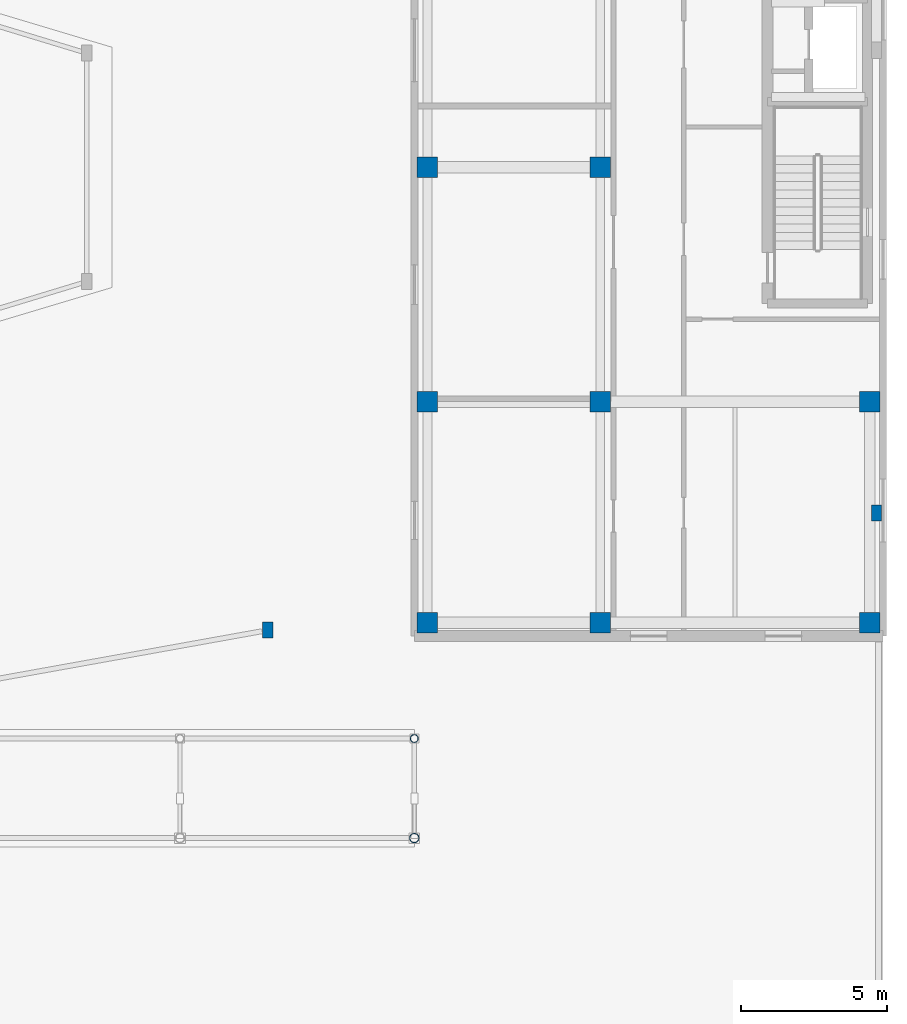
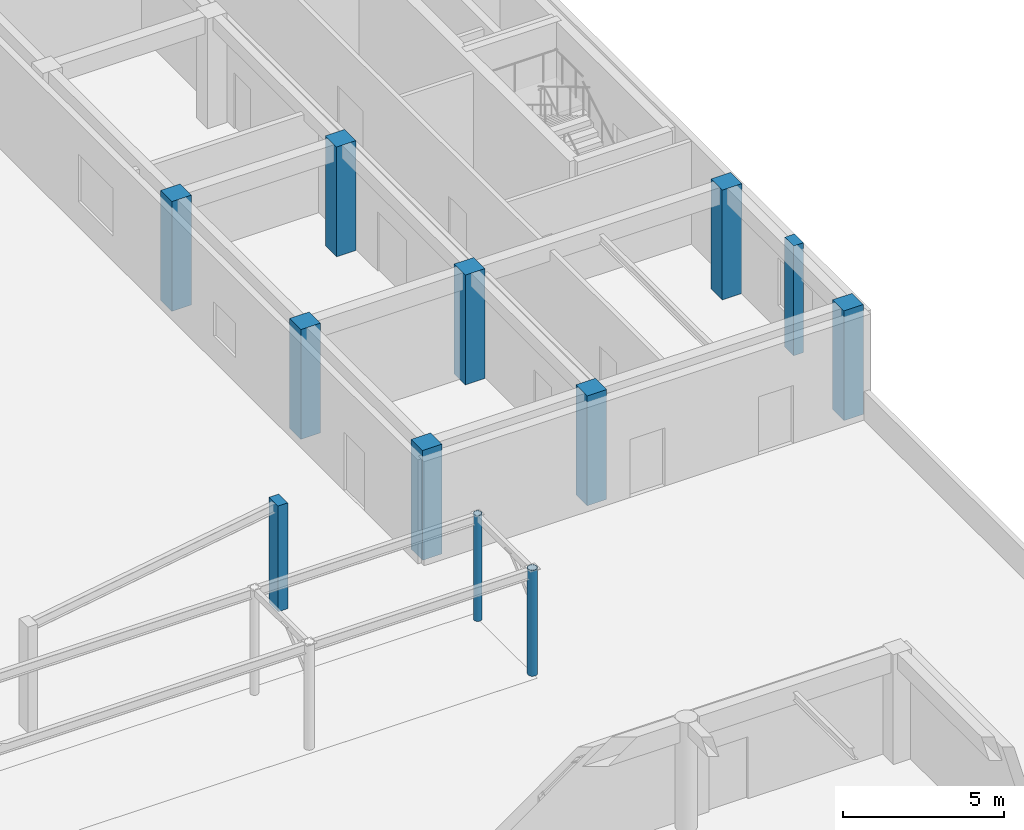
# One storey, part 13 of 114: 12 columns.
"""IFC4 building model written with IfcOpenShell, lengths in metres."""

from ifc_helpers import new_model, si_unit, direction, frame, origin, origin_2d, place, context, subcontext, project, spatial, rectangle, hollow_circle, extrude, material, material_profile, profile_set, type_object, element, save


model = new_model("IFC4")

# Units and contexts
model_context = context("Model", 3, precision=1e-05, world=origin(), true_north=direction((0.0, 1.0)))
body_context = subcontext(model_context, "Body", "Model", "MODEL_VIEW")
ifc_project = project(units=[si_unit("LENGTHUNIT", "METRE"), si_unit("AREAUNIT", "SQUARE_METRE"), si_unit("VOLUMEUNIT", "CUBIC_METRE"), si_unit("PLANEANGLEUNIT", "RADIAN"), si_unit("MASSUNIT", "GRAM", prefix="KILO")], contexts=[model_context])

# Site, building, storey
site_placement = place(None, origin())
site = spatial("IfcSite", under=ifc_project, at=site_placement, CompositionType="ELEMENT")
building_placement = place(site_placement, origin())
building = spatial("IfcBuilding", under=site, at=building_placement, Name="Keldmere Railside Commons", CompositionType="ELEMENT")
storey_placement = place(building_placement, origin())
storey = spatial("IfcBuildingStorey", under=building, at=storey_placement, Name="L00", CompositionType="ELEMENT", Elevation=0.0)

# Columns
ifc_material_1 = material(Name="Steel F-36 (S355)", Category="steel")
ifc_material_profile_1 = material_profile(ifc_material_1, hollow_circle(Radius=0.162109375, WallThickness=0.011962890625, at=origin_2d()), Name="CHS-324x12")
ifc_profile_set_1 = profile_set([ifc_material_profile_1], Name="Steel F-36 (S355)")
column_type_1 = type_object("IfcColumnType", Name="Colonnade Gallery Steel Column CHS324", PredefinedType="COLUMN", material=ifc_profile_set_1)
column_1_placement = place(storey_placement, frame((168.0, 49.10009765625, 0.0), z_axis=(0.0, 0.0, 1.0), x_axis=(1.0, 0.0, 0.0)))
element("IfcColumn", 1, at=column_1_placement, inside=storey, type_object=column_type_1, Name="SC-1 COL-L00-1540", PredefinedType="COLUMN", context=body_context, shape_type="SweptSolid", body=[
    extrude(hollow_circle(Radius=0.162109375, WallThickness=0.011962890625, at=origin_2d()), origin(), (0.0, 0.0, 1.0), 4.010009765625),
])
ifc_material_profile_2 = material_profile(ifc_material_1, hollow_circle(Radius=0.136474609375, WallThickness=0.010009765625, at=origin_2d()), Name="CHS-273x10")
ifc_profile_set_2 = profile_set([ifc_material_profile_2], Name="Steel F-36 (S355)")
column_type_2 = type_object("IfcColumnType", Name="Entrance Canopy Steel Column CHS273", PredefinedType="COLUMN", material=ifc_profile_set_2)
column_2_placement = place(storey_placement, frame((168.0, 52.5, 0.0), z_axis=(0.0, 0.0, 1.0), x_axis=(1.0, 0.0, 0.0)))
element("IfcColumn", 2, at=column_2_placement, inside=storey, type_object=column_type_2, Name="SC-2 COL-L00-1542", PredefinedType="COLUMN", context=body_context, shape_type="SweptSolid", body=[
    extrude(hollow_circle(Radius=0.136474609375, WallThickness=0.010009765625, at=origin_2d()), origin(), (0.0, 0.0, 1.0), 4.010009765625),
])
ifc_material_2 = material(Name="Architectural Precast Concrete H-35 (C35/45)", Category="concrete")
ifc_material_profile_3 = material_profile(ifc_material_2, rectangle(XDim=0.35009765625, YDim=0.550048828125, at=origin_2d()), Name="RC-350x550")
ifc_profile_set_3 = profile_set([ifc_material_profile_3], Name="Architectural Precast Concrete H-35 (C35/45)")
column_type_3 = type_object("IfcColumnType", Name="Facade Precast Pilaster Column 350x550", PredefinedType="PILASTER", material=ifc_profile_set_3)
column_3_placement = place(storey_placement, frame((163.0, 56.199951171875, 0.0), z_axis=(0.0, 0.0, 1.0), x_axis=(1.0, 0.0, 0.0)))
element("IfcColumn", 3, at=column_3_placement, inside=storey, type_object=column_type_3, Name="C-PIL COL-L00-1520", PredefinedType="PILASTER", context=body_context, shape_type="SweptSolid", body=[
    extrude(rectangle(XDim=0.35009765625, YDim=0.550048828125, at=origin_2d()), origin(), (0.0, 0.0, 1.0), 4.010009765625),
])
column_4_placement = place(storey_placement, frame((183.780029296875, 60.199951171875, 0.0), z_axis=(0.0, 0.0, 1.0), x_axis=(1.0, 0.0, 0.0)))
element("IfcColumn", 4, at=column_4_placement, inside=storey, type_object=column_type_3, Name="C-PIL COL-L00-1913", PredefinedType="PILASTER", context=body_context, shape_type="SweptSolid", body=[
    extrude(rectangle(XDim=0.35009765625, YDim=0.550048828125, at=origin_2d()), origin(), (0.0, 0.0, 1.0), 4.159912109375),
])
ifc_material_3 = material(Name="Concrete H-40 (C40/50)", Category="concrete")
ifc_material_profile_4 = material_profile(ifc_material_3, rectangle(XDim=0.699951171875, YDim=0.699951171875, at=origin_2d()), Name="RC-700x700")
ifc_profile_set_4 = profile_set([ifc_material_profile_4], Name="Concrete H-40 (C40/50)")
column_type_4 = type_object("IfcColumnType", Name="Lower Residential RC Column 700x700", PredefinedType="COLUMN", material=ifc_profile_set_4)
for number, where, z_axis, x_axis, name in (
    (5, (168.449951171875, 56.449951171875, 0.0), (0.0, 0.0, 1.0), (1.0, 0.0, 0.0), "C-700 COL-L00-1544"),
    (6, (168.449951171875, 64.0, 0.0), (0.0, 0.0, 1.0), (1.0, 0.0, 0.0), "C-700 COL-L00-1554"),
    (7, (168.449951171875, 72.0, 0.0), (0.0, 0.0, 1.0), (1.0, 0.0, 0.0), "C-700 COL-L00-1568"),
    (8, (174.35009765625, 56.449951171875, 0.0), (0.0, 0.0, 1.0), (1.0, 0.0, 0.0), "C-700 COL-L00-1670"),
    (9, (174.35009765625, 64.0, 0.0), (0.0, 0.0, 1.0), (1.0, 0.0, 0.0), "C-700 COL-L00-1680"),
    (10, (174.35009765625, 72.0, 0.0), (0.0, 0.0, 1.0), (1.0, 0.0, 0.0), "C-700 COL-L00-1694"),
    (11, (183.550048828125, 56.449951171875, 0.0), (0.0, 0.0, 1.0), (1.0, 0.0, 0.0), "C-700 COL-L00-1802"),
    (12, (183.550048828125, 64.0, 0.0), (0.0, 0.0, 1.0), (1.0, 0.0, 0.0), "C-700 COL-L00-1812"),
):
    element("IfcColumn", number, at=place(storey_placement, frame(where, z_axis=z_axis, x_axis=x_axis)), inside=storey, type_object=column_type_4, Name=name, PredefinedType="COLUMN", context=body_context, shape_type="SweptSolid", body=[
        extrude(rectangle(XDim=0.699951171875, YDim=0.699951171875, at=origin_2d()), origin(), (0.0, 0.0, 1.0), 4.159912109375),
    ])

save(model, "model.ifc")
